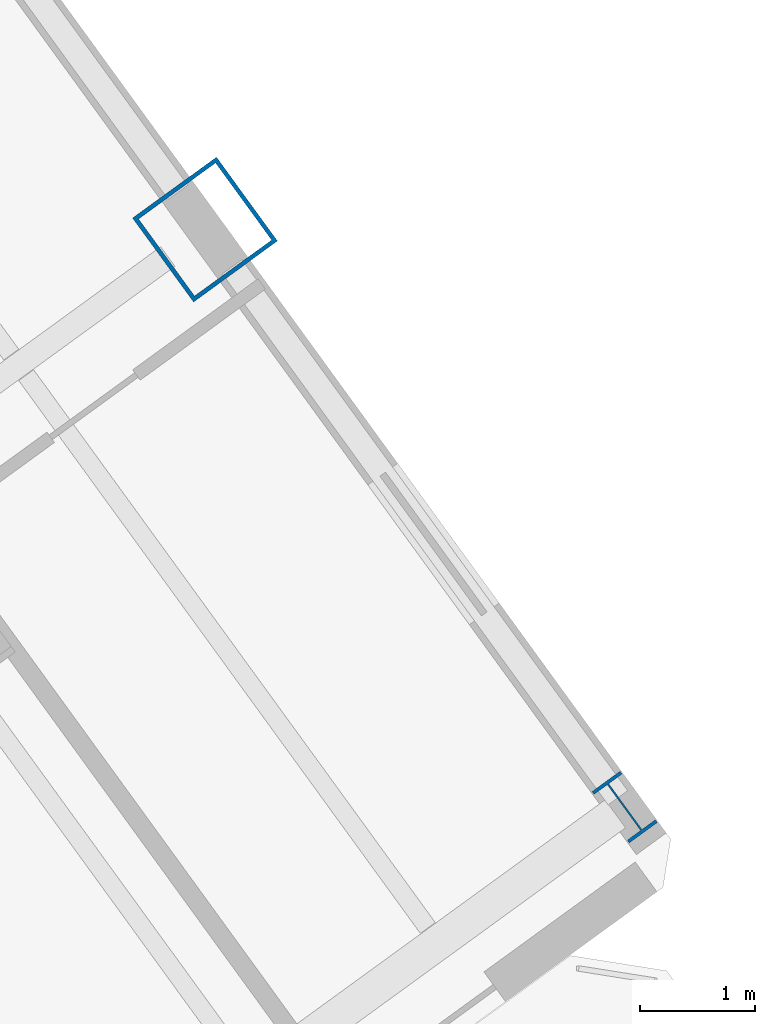
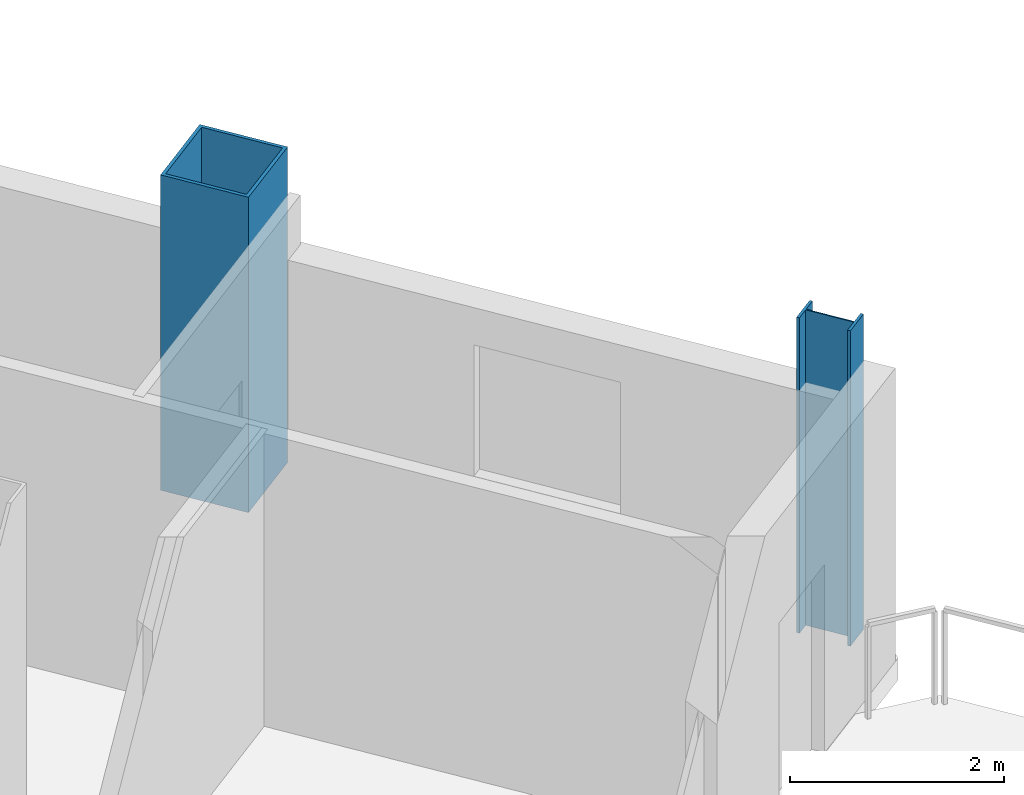
# One storey, part 4 of 25: 2 columns.
"""IFC4 building model written with IfcOpenShell, lengths in metres."""

from ifc_helpers import new_model, si_unit, direction, frame, origin, origin_2d, place, context, subcontext, project, spatial, hollow_rectangle, i_section, extrude, source, transform, mapped, material, material_profile, profile_set, type_object, element, save


model = new_model("IFC4")

# Units and contexts
model_context = context("Model", 3, precision=1e-05, world=origin(), true_north=direction((0.0, 1.0)))
body_context = subcontext(model_context, "Body", "Model", "MODEL_VIEW")
ifc_project = project(units=[si_unit("LENGTHUNIT", "METRE"), si_unit("AREAUNIT", "SQUARE_METRE"), si_unit("VOLUMEUNIT", "CUBIC_METRE"), si_unit("PLANEANGLEUNIT", "RADIAN"), si_unit("MASSUNIT", "GRAM", prefix="KILO")], contexts=[model_context])

# Site, building, storey
site_placement = place(None, origin())
site = spatial("IfcSite", under=ifc_project, at=site_placement, CompositionType="ELEMENT")
building_placement = place(site_placement, origin())
building = spatial("IfcBuilding", under=site, at=building_placement, Name="Tlacorven Tower", CompositionType="ELEMENT")
storey_placement = place(building_placement, frame((0.0, 0.0, 155.10009765625)))
storey = spatial("IfcBuildingStorey", under=building, at=storey_placement, Name="L39", CompositionType="ELEMENT", Elevation=155.10009765625)

# Columns
ifc_material = material(Name="Steel S460M", Category="steel")
ifc_material_profile_1 = material_profile(ifc_material, hollow_rectangle(XDim=0.89990234375, YDim=0.89990234375, WallThickness=0.035888671875, at=origin_2d()), Name="BOX 900X900X36")
ifc_profile_set_1 = profile_set([ifc_material_profile_1], Name="Steel S460M")
column_type_1 = type_object("IfcColumnType", Name="COL-TWR-S2", PredefinedType="COLUMN", material=ifc_profile_set_1)
shared_shape_1 = source(origin(), body_context, "Body", "SweptSolid", [
    extrude(hollow_rectangle(XDim=0.89990234375, YDim=0.89990234375, WallThickness=0.035888671875, at=origin_2d()), origin(), (0.0, 0.0, 1.0), 3.599853515625),
])
column_1_placement = place(storey_placement, frame((67.267822265625, 23.353515625, 0.0), z_axis=(0.0, 0.0, 1.0), x_axis=(0.809016994375, 0.587785252292, 0.0)))
element("IfcColumn", 1, at=column_1_placement, inside=storey, type_object=column_type_1, Name="L39 column COL-L39-E4-2", PredefinedType="COLUMN", context=body_context, shape_type="MappedRepresentation", body=[
    mapped(shared_shape_1, transform((0.0, 0.0, 0.0), scale=1.0)),
])
ifc_material_profile_2 = material_profile(ifc_material, i_section(OverallWidth=0.300048828125, OverallDepth=0.550048828125, WebThickness=0.014892578125, FlangeThickness=0.029052734375, at=origin_2d()), Name="HEB 550")
ifc_profile_set_2 = profile_set([ifc_material_profile_2], Name="Steel S460M")
column_type_2 = type_object("IfcColumnType", Name="COL-TWR-P2", PredefinedType="COLUMN", material=ifc_profile_set_2)
shared_shape_2 = source(origin(), body_context, "Body", "SweptSolid", [
    extrude(i_section(OverallWidth=0.300048828125, OverallDepth=0.550048828125, WebThickness=0.014892578125, FlangeThickness=0.029052734375, at=origin_2d()), origin(), (0.0, 0.0, 1.0), 3.599853515625),
])
column_2_placement = place(storey_placement, frame((70.911865234375, 18.337646484375, 0.0), z_axis=(0.0, 0.0, 1.0), x_axis=(0.809016994375, 0.587785252292, 0.0)))
element("IfcColumn", 2, at=column_2_placement, inside=storey, type_object=column_type_2, Name="L39 column COL-L39-E4-1", PredefinedType="COLUMN", context=body_context, shape_type="MappedRepresentation", body=[
    mapped(shared_shape_2, transform((0.0, 0.0, 0.0), scale=1.0)),
])

save(model, "model.ifc")
